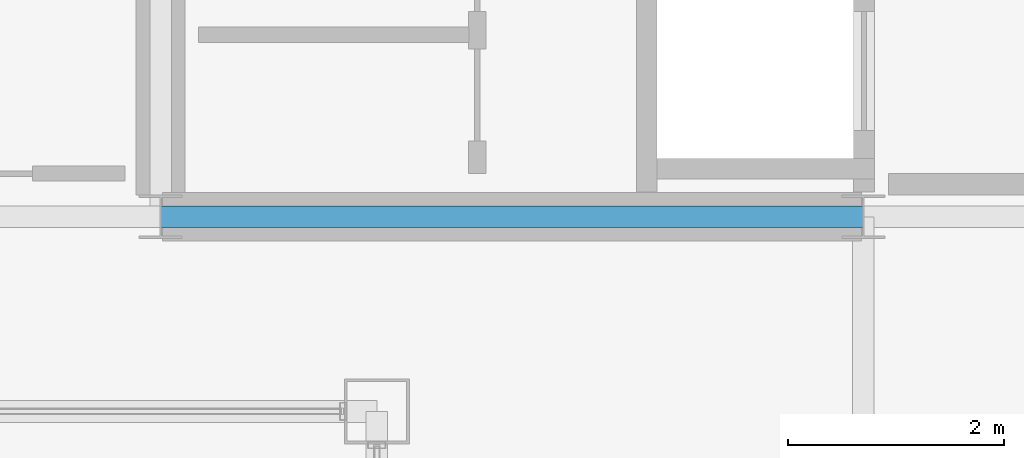
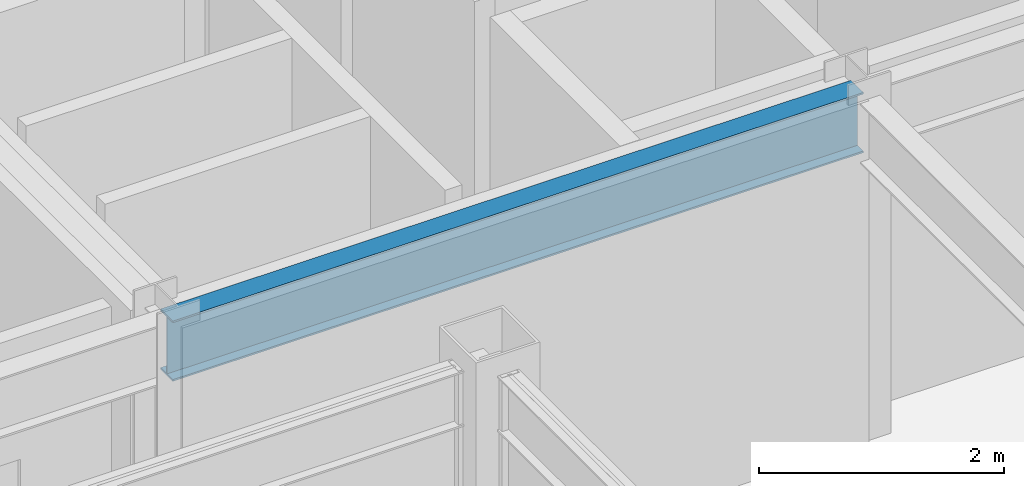
# One storey, part 5 of 28: 1 beam.
"""IFC4 building model written with IfcOpenShell, lengths in metres."""

from ifc_helpers import new_model, si_unit, direction, frame, origin, origin_2d, place, context, subcontext, project, spatial, i_section, extrude, material, material_profile, profile_set, type_object, element, save


model = new_model("IFC4")

# Units and contexts
model_context = context("Model", 3, precision=1e-05, world=origin(), true_north=direction((0.0, 1.0)))
body_context = subcontext(model_context, "Body", "Model", "MODEL_VIEW")
ifc_project = project(units=[si_unit("LENGTHUNIT", "METRE"), si_unit("AREAUNIT", "SQUARE_METRE"), si_unit("VOLUMEUNIT", "CUBIC_METRE"), si_unit("PLANEANGLEUNIT", "RADIAN"), si_unit("MASSUNIT", "GRAM", prefix="KILO")], contexts=[model_context])

# Site, building, storey
site_placement = place(None, origin())
site = spatial("IfcSite", under=ifc_project, at=site_placement, CompositionType="ELEMENT")
building_placement = place(site_placement, origin())
building = spatial("IfcBuilding", under=site, at=building_placement, Name="Brelmoor Portico Tower", CompositionType="ELEMENT")
storey_placement = place(building_placement, frame((0.0, 0.0, 265.199951171875)))
storey = spatial("IfcBuildingStorey", under=building, at=storey_placement, Name="L70", CompositionType="ELEMENT", Elevation=265.199951171875)

# Beam
ifc_material = material(Name="Steel Q355B", Category="steel")
ifc_material_profile = material_profile(ifc_material, i_section(OverallWidth=0.199951171875, OverallDepth=0.60009765625, WebThickness=0.010986328125, FlangeThickness=0.01708984375, at=origin_2d()), Name="HN 600x200x11x17")
ifc_profile_set = profile_set([ifc_material_profile], Name="Steel Q355B")
beam_type = type_object("IfcBeamType", Name="BM-PG-600", PredefinedType="BEAM", material=ifc_profile_set)
beam_placement = place(storey_placement, frame((-14.550048828125, -9.75, 3.10009765625), z_axis=(1.0, 0.0, 0.0), x_axis=(0.0, 1.0, 0.0)))
element("IfcBeam", 1, at=beam_placement, inside=storey, type_object=beam_type, Name="L70 Primary Floor Girder PG-12", PredefinedType="BEAM", context=body_context, shape_type="SweptSolid", body=[
    extrude(i_section(OverallWidth=0.199951171875, OverallDepth=0.60009765625, WebThickness=0.010986328125, FlangeThickness=0.01708984375, at=origin_2d()), origin(), (0.0, 0.0, 1.0), 6.5),
])

save(model, "model.ifc")
